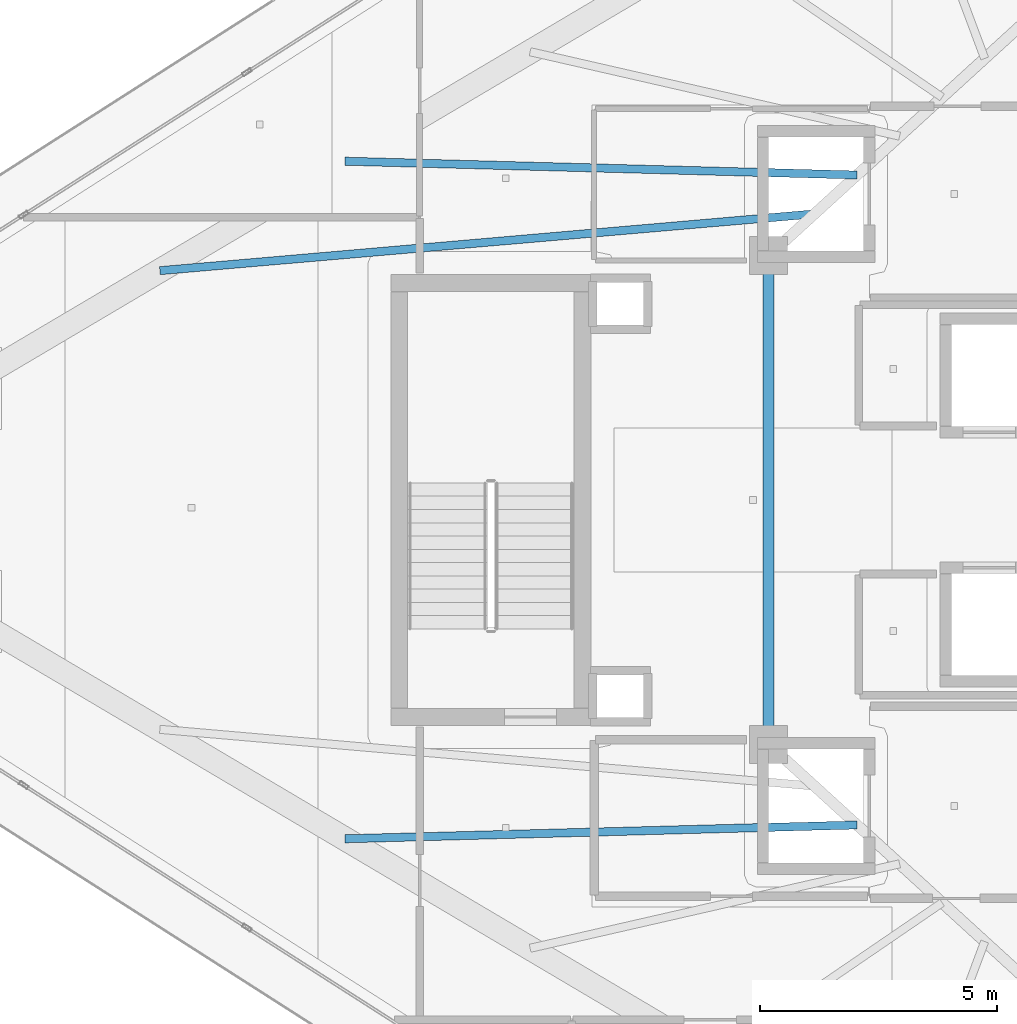
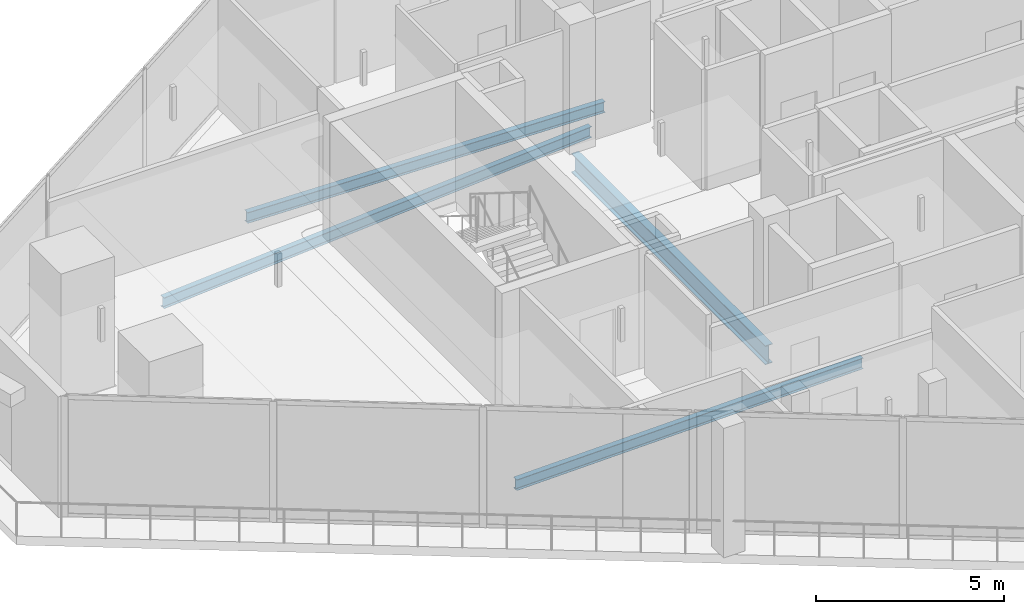
# One storey, part 9 of 36: 4 beams.
"""IFC4 building model written with IfcOpenShell, lengths in metres."""

from ifc_helpers import new_model, si_unit, direction, frame, origin, origin_2d, place, context, subcontext, project, spatial, i_section, extrude, material, material_profile, profile_set, type_object, element, save


model = new_model("IFC4")

# Units and contexts
model_context = context("Model", 3, precision=1e-05, world=origin(), true_north=direction((0.0, 1.0)))
body_context = subcontext(model_context, "Body", "Model", "MODEL_VIEW")
ifc_project = project(units=[si_unit("LENGTHUNIT", "METRE"), si_unit("AREAUNIT", "SQUARE_METRE"), si_unit("VOLUMEUNIT", "CUBIC_METRE"), si_unit("PLANEANGLEUNIT", "RADIAN"), si_unit("MASSUNIT", "GRAM", prefix="KILO")], contexts=[model_context])

# Site, building, storey
site_placement = place(None, origin())
site = spatial("IfcSite", under=ifc_project, at=site_placement, CompositionType="ELEMENT")
building_placement = place(site_placement, origin())
building = spatial("IfcBuilding", under=site, at=building_placement, Name="Qorvath Tower", CompositionType="ELEMENT")
storey_placement = place(building_placement, frame((0.0, 0.0, 272.39990234375)))
storey = spatial("IfcBuildingStorey", under=building, at=storey_placement, Name="L63", CompositionType="ELEMENT", Elevation=272.39990234375)

# Beams
ifc_material_1 = material(Name="Steel ASTM A992 Grade 50", Category="steel")
ifc_material_profile_1 = material_profile(ifc_material_1, i_section(OverallWidth=0.22998046875, OverallDepth=0.616943359375, WebThickness=0.01318359375, FlangeThickness=0.022216796875, FilletRadius=0.014892578125, at=origin_2d()), Name="W24x94")
ifc_profile_set_1 = profile_set([ifc_material_profile_1], Name="Steel ASTM A992 Grade 50")
beam_type_1 = type_object("IfcBeamType", Name="BM-FG6", PredefinedType="BEAM", material=ifc_profile_set_1)
beam_1_placement = place(storey_placement, frame((-30.5, -5.14990234375, -0.598388671875), z_axis=(0.0, 1.0, 0.0), x_axis=(-1.0, 0.0, 0.0)))
element("IfcBeam", 1, at=beam_1_placement, inside=storey, type_object=beam_type_1, Name="Core Ring Girder CC6-CC5 L63", PredefinedType="BEAM", context=body_context, shape_type="SweptSolid", body=[
    extrude(i_section(OverallWidth=0.22998046875, OverallDepth=0.616943359375, WebThickness=0.01318359375, FlangeThickness=0.022216796875, FilletRadius=0.014892578125, at=origin_2d()), origin(), (0.0, 0.0, 1.0), 10.2998046875),
])
ifc_material_2 = material(Name="Steel ASTM A992 Grade 50", Category="steel")
ifc_material_profile_2 = material_profile(ifc_material_2, i_section(OverallWidth=0.1708984375, OverallDepth=0.35107421875, WebThickness=0.0068359375, FlangeThickness=0.009765625, FilletRadius=0.010009765625, at=origin_2d()), Name="W14x30")
ifc_profile_set_2 = profile_set([ifc_material_profile_2], Name="Steel ASTM A992 Grade 50")
beam_type_2 = type_object("IfcBeamType", Name="BM-FJ4", PredefinedType="JOIST", material=ifc_profile_set_2)
beam_2_placement = place(storey_placement, frame((-29.533935546875, 6.031982421875, -0.46533203125), z_axis=(-0.996257895131, -0.086430355719, 0.0), x_axis=(0.086430355719, -0.996257895131, 0.0)))
element("IfcBeam", 2, at=beam_2_placement, inside=storey, type_object=beam_type_2, Name="Composite Floor Joist NW1 L63", PredefinedType="JOIST", context=body_context, shape_type="SweptSolid", body=[
    extrude(i_section(OverallWidth=0.1708984375, OverallDepth=0.35107421875, WebThickness=0.0068359375, FlangeThickness=0.009765625, FilletRadius=0.010009765625, at=origin_2d()), origin(), (0.0, 0.0, 1.0), 13.852294921875),
])
for number, where, z_axis, x_axis, name in (
    (3, (-28.636962890625, 6.85107421875, -0.46533203125), (-0.999635580213, 0.026994569327, 0.0), (-0.026994569327, -0.999635580213, 0.0), "Composite Floor Joist NW2 L63"),
    (4, (-28.636962890625, -6.85107421875, -0.46533203125), (-0.999635580213, -0.026994569327, 0.0), (0.026994569327, -0.999635580213, 0.0), "Composite Floor Joist SW2 L63"),
):
    element("IfcBeam", number, at=place(storey_placement, frame(where, z_axis=z_axis, x_axis=x_axis)), inside=storey, type_object=beam_type_2, Name=name, PredefinedType="JOIST", context=body_context, shape_type="SweptSolid", body=[
        extrude(i_section(OverallWidth=0.1708984375, OverallDepth=0.35107421875, WebThickness=0.0068359375, FlangeThickness=0.009765625, FilletRadius=0.010009765625, at=origin_2d()), origin(), (0.0, 0.0, 1.0), 10.798583984375),
    ])

save(model, "model.ifc")
